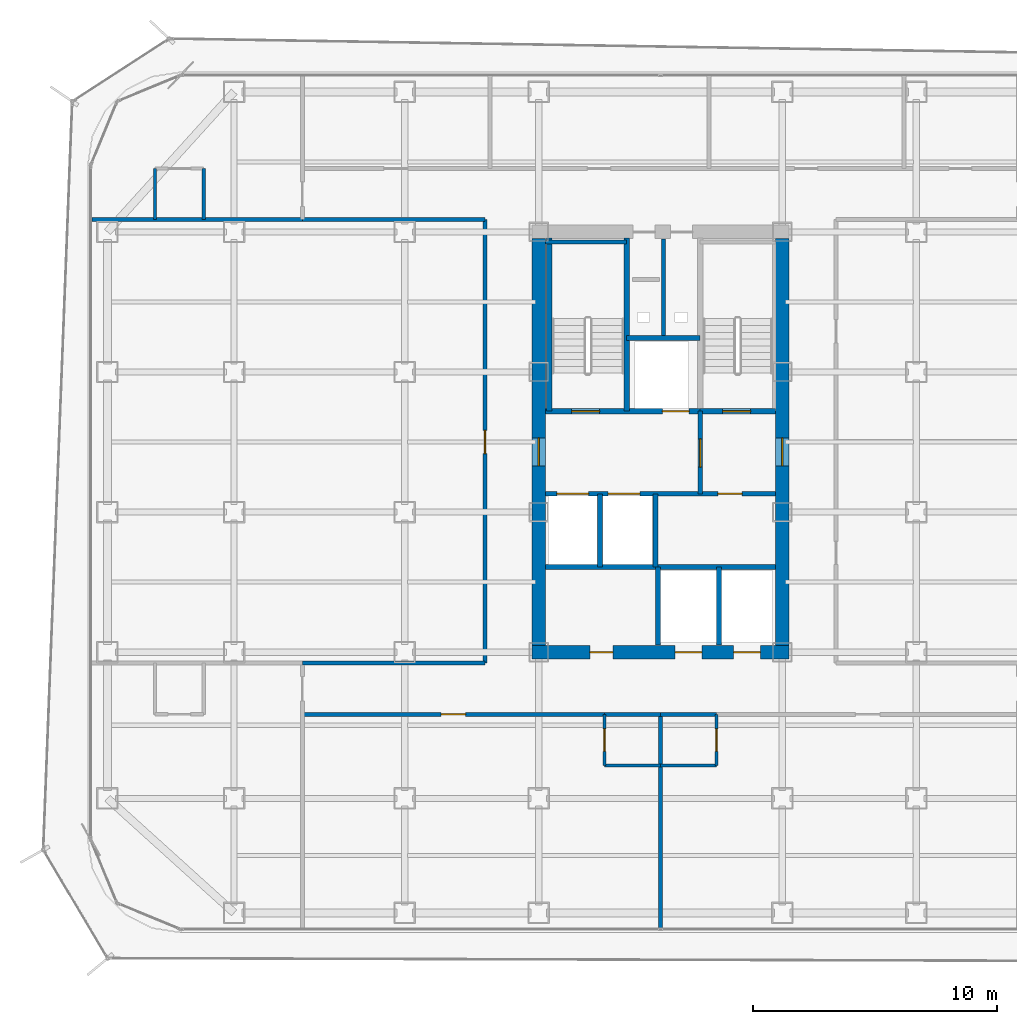
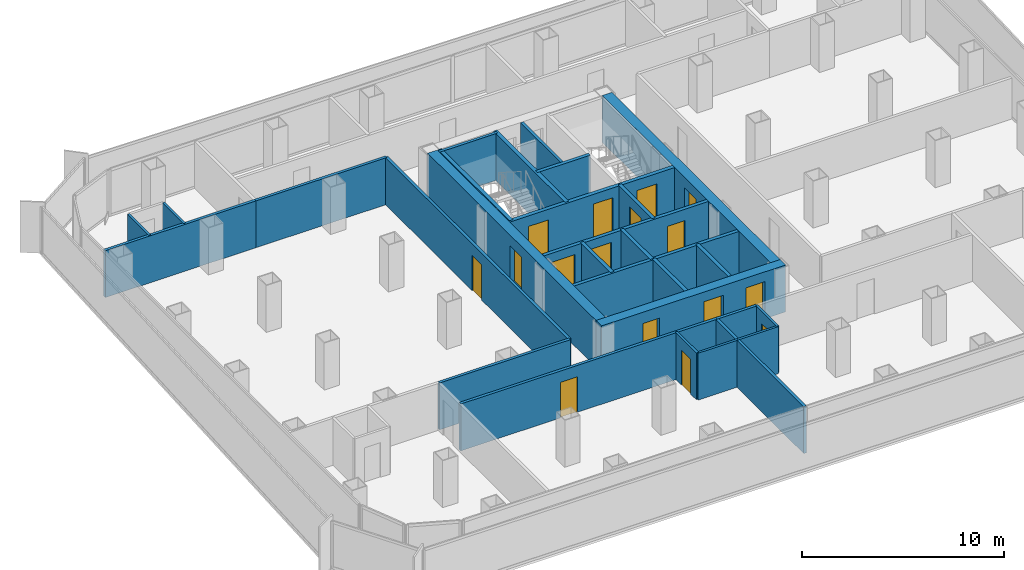
# One storey, part 16 of 21: 31 walls, 16 doors, 16 openings.
"""IFC4 building model written with IfcOpenShell, lengths in metres."""

from ifc_helpers import new_model, si_unit, direction, frame, frame_2d, origin, place, context, subcontext, project, spatial, rectangle, extrude, material, layer, layer_set, type_object, element, fill, save


model = new_model("IFC4")

# Units and contexts
model_context = context("Model", 3, precision=1e-05, world=origin(), true_north=direction((0.0, 1.0)))
body_context = subcontext(model_context, "Body", "Model", "MODEL_VIEW")
ifc_project = project(units=[si_unit("LENGTHUNIT", "METRE"), si_unit("AREAUNIT", "SQUARE_METRE"), si_unit("VOLUMEUNIT", "CUBIC_METRE"), si_unit("PLANEANGLEUNIT", "RADIAN"), si_unit("MASSUNIT", "GRAM", prefix="KILO")], contexts=[model_context])

# Site, building, storey
site_placement = place(None, origin())
site = spatial("IfcSite", under=ifc_project, at=site_placement, CompositionType="ELEMENT")
building_placement = place(site_placement, origin())
building = spatial("IfcBuilding", under=site, at=building_placement, Name="Kolveth Station Tower", CompositionType="ELEMENT")
storey_placement = place(building_placement, frame((0.0, 0.0, 140.699951171875)))
storey = spatial("IfcBuildingStorey", under=building, at=storey_placement, Name="L39", CompositionType="ELEMENT", Elevation=140.699951171875)

# Wall, openings, doors
ifc_material_1 = material(Name="Concrete C60/75", Category="concrete")
ifc_layer_1 = layer(ifc_material_1, 0.550048828125)
ifc_layer_set_1 = layer_set([ifc_layer_1], Name="Concrete C60/75")
wall_type_1 = type_object("IfcWallType", Name="Wall_CW-550", PredefinedType="SHEAR", material=ifc_layer_set_1)
wall_1_placement = place(storey_placement, frame((18.22509765625, 11.5, 0.0), z_axis=(0.0, 0.0, 1.0), x_axis=(1.0, 0.0, 0.0)))
wall_1 = element("IfcWall", 1, at=wall_1_placement, inside=storey, type_object=wall_type_1, Name="L39 Core RC Shear Wall S", PredefinedType="SHEAR", context=body_context, shape_type="SweptSolid", body=[
    extrude(rectangle(XDim=10.5498046875, YDim=0.550048828125, at=frame_2d((5.27490234375, 0.0))), origin(), (0.0, 0.0, 1.0), 2.840087890625),
])
opening_1_placement = place(wall_1_placement, frame((2.375, 0.0, 0.0)))
opening_1 = element("IfcOpeningElement", 2, at=opening_1_placement, cuts=wall_1, Name="Opening ID1", PredefinedType="OPENING", context=body_context, shape_type="SweptSolid", body=[
    extrude(rectangle(XDim=0.949951171875, YDim=2.14990234375, at=frame_2d((0.47509765625, 1.074951171875))), frame((0.0, 0.284912109375, 0.0), z_axis=(0.0, -1.0, 0.0), x_axis=(1.0, 0.0, 0.0)), (0.0, 0.0, 1.0), 0.570068359375),
])
opening_2_placement = place(wall_1_placement, frame((5.875, 0.0, 0.0)))
opening_2 = element("IfcOpeningElement", 3, at=opening_2_placement, cuts=wall_1, Name="Opening LD1", PredefinedType="OPENING", context=body_context, shape_type="SweptSolid", body=[
    extrude(rectangle(XDim=1.10009765625, YDim=2.25, at=frame_2d((0.550048828125, 1.125))), frame((0.0, 0.284912109375, 0.0), z_axis=(0.0, -1.0, 0.0), x_axis=(1.0, 0.0, 0.0)), (0.0, 0.0, 1.0), 0.570068359375),
])
opening_3_placement = place(wall_1_placement, frame((8.27490234375, 0.0, 0.0)))
opening_3 = element("IfcOpeningElement", 4, at=opening_3_placement, cuts=wall_1, Name="Opening LD1", PredefinedType="OPENING", context=body_context, shape_type="SweptSolid", body=[
    extrude(rectangle(XDim=1.10009765625, YDim=2.25, at=frame_2d((0.550048828125, 1.125))), frame((0.0, 0.284912109375, 0.0), z_axis=(0.0, -1.0, 0.0), x_axis=(1.0, 0.0, 0.0)), (0.0, 0.0, 1.0), 0.570068359375),
])
ifc_material_2 = material(Name="Acoustic hardwood leaf and aluminium frame", Category="wood")
door_type_1 = type_object("IfcDoorType", Name="Door_ID1", OperationType="NOTDEFINED", PredefinedType="DOOR", material=ifc_material_2)
door_1_placement = place(opening_1_placement, frame((0.949951171875, 0.0, 0.0), z_axis=(0.0, 0.0, 1.0), x_axis=(-1.0, 0.0, 0.0)))
door_1 = element("IfcDoor", 5, at=door_1_placement, inside=storey, type_object=door_type_1, Name="L39 Hotel Pantry Door", OperationType="SINGLE_SWING_LEFT", OverallHeight=2.14990234375, OverallWidth=0.949951171875, PredefinedType="DOOR", context=body_context, shape_type="SweptSolid", body=[
    extrude(rectangle(XDim=0.949951171875, YDim=2.14990234375, at=frame_2d((0.47509765625, 1.074951171875))), frame((0.0, 0.02490234375, 0.0), z_axis=(0.0, -1.0, 0.0), x_axis=(1.0, 0.0, 0.0)), (0.0, 0.0, 1.0), 0.050048828125),
])
fill(opening_1, door_1)
ifc_material_3 = material(Name="Brushed stainless steel sliding landing doors", Category="steel")
door_type_2 = type_object("IfcDoorType", Name="Door_LD1", OperationType="NOTDEFINED", PredefinedType="DOOR", material=ifc_material_3)
door_2_placement = place(opening_2_placement, frame((1.10009765625, 0.0, 0.0), z_axis=(0.0, 0.0, 1.0), x_axis=(-1.0, 0.0, 0.0)))
door_2 = element("IfcDoor", 6, at=door_2_placement, inside=storey, type_object=door_type_2, Name="L39 Lift PM1 Landing Door", OperationType="DOUBLE_DOOR_SLIDING", OverallHeight=2.25, OverallWidth=1.10009765625, PredefinedType="DOOR", context=body_context, shape_type="SweptSolid", body=[
    extrude(rectangle(XDim=1.10009765625, YDim=2.25, at=frame_2d((0.550048828125, 1.125))), frame((0.0, 0.02490234375, 0.0), z_axis=(0.0, -1.0, 0.0), x_axis=(1.0, 0.0, 0.0)), (0.0, 0.0, 1.0), 0.050048828125),
])
fill(opening_2, door_2)
door_3_placement = place(opening_3_placement, frame((1.10009765625, 0.0, 0.0), z_axis=(0.0, 0.0, 1.0), x_axis=(-1.0, 0.0, 0.0)))
door_3 = element("IfcDoor", 7, at=door_3_placement, inside=storey, type_object=door_type_2, Name="L39 Lift PH1 Landing Door", OperationType="DOUBLE_DOOR_SLIDING", OverallHeight=2.25, OverallWidth=1.10009765625, PredefinedType="DOOR", context=body_context, shape_type="SweptSolid", body=[
    extrude(rectangle(XDim=1.10009765625, YDim=2.25, at=frame_2d((0.550048828125, 1.125))), frame((0.0, 0.02490234375, 0.0), z_axis=(0.0, -1.0, 0.0), x_axis=(1.0, 0.0, 0.0)), (0.0, 0.0, 1.0), 0.050048828125),
])
fill(opening_3, door_3)

# Wall, opening, door
wall_2_placement = place(storey_placement, frame((18.5, 11.77490234375, 0.0), z_axis=(0.0, 0.0, 1.0), x_axis=(0.0, 1.0, 0.0)))
wall_2 = element("IfcWall", 8, at=wall_2_placement, inside=storey, type_object=wall_type_1, Name="L39 Core RC Shear Wall W", PredefinedType="SHEAR", context=body_context, shape_type="SweptSolid", body=[
    extrude(rectangle(XDim=16.7001953125, YDim=0.550048828125, at=frame_2d((8.35009765625, 0.0))), origin(), (0.0, 0.0, 1.0), 2.840087890625),
])
opening_4_placement = place(wall_2_placement, frame((7.375, 0.0, 0.0)))
opening_4 = element("IfcOpeningElement", 9, at=opening_4_placement, cuts=wall_2, Name="Opening FD1", PredefinedType="OPENING", context=body_context, shape_type="SweptSolid", body=[
    extrude(rectangle(XDim=1.14990234375, YDim=2.199951171875, at=frame_2d((0.574951171875, 1.10009765625))), frame((0.0, 0.284912109375, 0.0), z_axis=(0.0, -1.0, 0.0), x_axis=(1.0, 0.0, 0.0)), (0.0, 0.0, 1.0), 0.570068359375),
])
ifc_material_4 = material(Name="Fire-rated Steel S355 leaf and frame", Category="steel")
door_type_3 = type_object("IfcDoorType", Name="Door_FD1", OperationType="NOTDEFINED", PredefinedType="DOOR", material=ifc_material_4)
door_4_placement = place(opening_4_placement, frame((1.14990234375, 0.0, 0.0), z_axis=(0.0, 0.0, 1.0), x_axis=(-1.0, 0.0, 0.0)))
door_4 = element("IfcDoor", 10, at=door_4_placement, inside=storey, type_object=door_type_3, Name="L39 West Corridor to Firefighting Lobby Door", OperationType="SINGLE_SWING_LEFT", OverallHeight=2.199951171875, OverallWidth=1.14990234375, PredefinedType="DOOR", context=body_context, shape_type="SweptSolid", body=[
    extrude(rectangle(XDim=1.14990234375, YDim=2.199951171875, at=frame_2d((0.574951171875, 1.10009765625))), frame((0.0, 0.02490234375, 0.0), z_axis=(0.0, -1.0, 0.0), x_axis=(1.0, 0.0, 0.0)), (0.0, 0.0, 1.0), 0.050048828125),
])
fill(opening_4, door_4)

wall_3_placement = place(storey_placement, frame((28.5, 11.77490234375, 0.0), z_axis=(0.0, 0.0, 1.0), x_axis=(0.0, 1.0, 0.0)))
wall_3 = element("IfcWall", 11, at=wall_3_placement, inside=storey, type_object=wall_type_1, Name="L39 Core RC Shear Wall E", PredefinedType="SHEAR", context=body_context, shape_type="SweptSolid", body=[
    extrude(rectangle(XDim=16.7001953125, YDim=0.550048828125, at=frame_2d((8.35009765625, 0.0))), origin(), (0.0, 0.0, 1.0), 2.840087890625),
])
opening_5_placement = place(wall_3_placement, frame((7.375, 0.0, 0.0)))
opening_5 = element("IfcOpeningElement", 12, at=opening_5_placement, cuts=wall_3, Name="Opening FD1", PredefinedType="OPENING", context=body_context, shape_type="SweptSolid", body=[
    extrude(rectangle(XDim=1.14990234375, YDim=2.199951171875, at=frame_2d((0.574951171875, 1.10009765625))), frame((0.0, 0.284912109375, 0.0), z_axis=(0.0, -1.0, 0.0), x_axis=(1.0, 0.0, 0.0)), (0.0, 0.0, 1.0), 0.570068359375),
])
door_5_placement = place(opening_5_placement, origin())
door_5 = element("IfcDoor", 13, at=door_5_placement, inside=storey, type_object=door_type_3, Name="L39 East Corridor to Stair Lobby Door", OperationType="SINGLE_SWING_RIGHT", OverallHeight=2.199951171875, OverallWidth=1.14990234375, PredefinedType="DOOR", context=body_context, shape_type="SweptSolid", body=[
    extrude(rectangle(XDim=1.14990234375, YDim=2.199951171875, at=frame_2d((0.574951171875, 1.10009765625))), frame((0.0, 0.02490234375, 0.0), z_axis=(0.0, -1.0, 0.0), x_axis=(1.0, 0.0, 0.0)), (0.0, 0.0, 1.0), 0.050048828125),
])
fill(opening_5, door_5)

# Walls
ifc_material_5 = material(Name="Moisture-resistant gypsum partition")
ifc_layer_2 = layer(ifc_material_5, 0.135009765625)
ifc_layer_set_2 = layer_set([ifc_layer_2], Name="Moisture-resistant gypsum partition")
wall_type_2 = type_object("IfcWallType", Name="Wall_IW-135", PredefinedType="PARTITIONING", material=ifc_layer_set_2)
for number, where, z_axis, x_axis, name in (
    (14, (2.75, 29.25, 0.0), (0.0, 0.0, 1.0), (0.0, 1.0, 0.0), "L39 Partition Wall WL-L39-WS2-BV1"),
    (15, (4.75, 29.25, 0.0), (0.0, 0.0, 1.0), (0.0, 1.0, 0.0), "L39 Partition Wall WL-L39-WS2-BV2"),
):
    element("IfcWall", number, at=place(storey_placement, frame(where, z_axis=z_axis, x_axis=x_axis)), inside=storey, type_object=wall_type_2, Name=name, PredefinedType="PARTITIONING", context=body_context, shape_type="SweptSolid", body=[
        extrude(rectangle(XDim=2.10009765625, YDim=0.135009765625, at=frame_2d((1.050048828125, 0.0))), origin(), (0.0, 0.0, 1.0), 2.840087890625),
    ])

# Wall, opening, door
wall_4_placement = place(storey_placement, frame((21.199951171875, 6.85009765625, 0.0), z_axis=(0.0, 0.0, 1.0), x_axis=(0.0, 1.0, 0.0)))
wall_4 = element("IfcWall", 16, at=wall_4_placement, inside=storey, type_object=wall_type_2, Name="L39 Partition Wall WL-L39-HS1-BV", PredefinedType="PARTITIONING", context=body_context, shape_type="SweptSolid", body=[
    extrude(rectangle(XDim=2.099853515625, YDim=0.135009765625, at=frame_2d((1.0498046875, 0.0))), origin(), (0.0, 0.0, 1.0), 2.840087890625),
])
opening_6_placement = place(wall_4_placement, frame((0.580078125, 0.0, 0.0)))
opening_6 = element("IfcOpeningElement", 17, at=opening_6_placement, cuts=wall_4, Name="Opening ID2", PredefinedType="OPENING", context=body_context, shape_type="SweptSolid", body=[
    extrude(rectangle(XDim=0.919921875, YDim=2.10009765625, at=frame_2d((0.4599609375, 1.050048828125))), frame((0.0, 0.077392578125, 0.0), z_axis=(0.0, -1.0, 0.0), x_axis=(1.0, 0.0, 0.0)), (0.0, 0.0, 1.0), 0.155029296875),
])
ifc_material_6 = material(Name="Moisture-resistant hardwood leaf", Category="wood")
door_type_4 = type_object("IfcDoorType", Name="Door_ID2", OperationType="NOTDEFINED", PredefinedType="DOOR", material=ifc_material_6)
door_6_placement = place(opening_6_placement, origin())
door_6 = element("IfcDoor", 18, at=door_6_placement, inside=storey, type_object=door_type_4, Name="L39 Hotel Corner Suite HS1 En-Suite Door", OperationType="SINGLE_SWING_RIGHT", OverallHeight=2.10009765625, OverallWidth=0.919921875, PredefinedType="DOOR", context=body_context, shape_type="SweptSolid", body=[
    extrude(rectangle(XDim=0.919921875, YDim=2.10009765625, at=frame_2d((0.4599609375, 1.050048828125))), frame((0.0, 0.02490234375, 0.0), z_axis=(0.0, -1.0, 0.0), x_axis=(1.0, 0.0, 0.0)), (0.0, 0.0, 1.0), 0.050048828125),
])
fill(opening_6, door_6)

# Wall
wall_5_placement = place(storey_placement, frame((21.199951171875, 6.85009765625, 0.0), z_axis=(0.0, 0.0, 1.0), x_axis=(1.0, 0.0, 0.0)))
element("IfcWall", 19, at=wall_5_placement, inside=storey, type_object=wall_type_2, Name="L39 Partition Wall WL-L39-HS1-BH", PredefinedType="PARTITIONING", context=body_context, shape_type="SweptSolid", body=[
    extrude(rectangle(XDim=2.300048828125, YDim=0.135009765625, at=frame_2d((1.14990234375, 0.0))), origin(), (0.0, 0.0, 1.0), 2.840087890625),
])

# Wall, opening, door
wall_6_placement = place(storey_placement, frame((25.800048828125, 6.85009765625, 0.0), z_axis=(0.0, 0.0, 1.0), x_axis=(0.0, 1.0, 0.0)))
wall_6 = element("IfcWall", 20, at=wall_6_placement, inside=storey, type_object=wall_type_2, Name="L39 Partition Wall WL-L39-HS2-BV", PredefinedType="PARTITIONING", context=body_context, shape_type="SweptSolid", body=[
    extrude(rectangle(XDim=2.099853515625, YDim=0.135009765625, at=frame_2d((1.0498046875, 0.0))), origin(), (0.0, 0.0, 1.0), 2.840087890625),
])
opening_7_placement = place(wall_6_placement, frame((0.580078125, 0.0, 0.0)))
opening_7 = element("IfcOpeningElement", 21, at=opening_7_placement, cuts=wall_6, Name="Opening ID2", PredefinedType="OPENING", context=body_context, shape_type="SweptSolid", body=[
    extrude(rectangle(XDim=0.919921875, YDim=2.10009765625, at=frame_2d((0.4599609375, 1.050048828125))), frame((0.0, 0.077392578125, 0.0), z_axis=(0.0, -1.0, 0.0), x_axis=(1.0, 0.0, 0.0)), (0.0, 0.0, 1.0), 0.155029296875),
])
door_7_placement = place(opening_7_placement, frame((0.919921875, 0.0, 0.0), z_axis=(0.0, 0.0, 1.0), x_axis=(-1.0, 0.0, 0.0)))
door_7 = element("IfcDoor", 22, at=door_7_placement, inside=storey, type_object=door_type_4, Name="L39 Hotel Corner Suite HS2 En-Suite Door", OperationType="SINGLE_SWING_RIGHT", OverallHeight=2.10009765625, OverallWidth=0.919921875, PredefinedType="DOOR", context=body_context, shape_type="SweptSolid", body=[
    extrude(rectangle(XDim=0.919921875, YDim=2.10009765625, at=frame_2d((0.4599609375, 1.050048828125))), frame((0.0, 0.02490234375, 0.0), z_axis=(0.0, -1.0, 0.0), x_axis=(1.0, 0.0, 0.0)), (0.0, 0.0, 1.0), 0.050048828125),
])
fill(opening_7, door_7)

# Walls
wall_7_placement = place(storey_placement, frame((23.5, 6.85009765625, 0.0), z_axis=(0.0, 0.0, 1.0), x_axis=(1.0, 0.0, 0.0)))
element("IfcWall", 23, at=wall_7_placement, inside=storey, type_object=wall_type_2, Name="L39 Partition Wall WL-L39-HS2-BH", PredefinedType="PARTITIONING", context=body_context, shape_type="SweptSolid", body=[
    extrude(rectangle(XDim=2.300048828125, YDim=0.135009765625, at=frame_2d((1.14990234375, 0.0))), origin(), (0.0, 0.0, 1.0), 2.840087890625),
])
ifc_material_7 = material(Name="Acoustic double-stud gypsum partition")
ifc_layer_3 = layer(ifc_material_7, 0.1650390625)
ifc_layer_set_3 = layer_set([ifc_layer_3], Name="Acoustic double-stud gypsum partition")
wall_type_3 = type_object("IfcWallType", Name="Wall_IW-165", PredefinedType="PARTITIONING", material=ifc_layer_set_3)
wall_8_placement = place(storey_placement, frame((18.784912109375, 28.3349609375, 0.0), z_axis=(0.0, 0.0, 1.0), x_axis=(1.0, 0.0, 0.0)))
element("IfcWall", 24, at=wall_8_placement, inside=storey, type_object=wall_type_3, Name="L39 Stair Shaft Wall WL-L39-ST1-N", PredefinedType="PARTITIONING", context=body_context, shape_type="SweptSolid", body=[
    extrude(rectangle(XDim=3.3251953125, YDim=0.1650390625, at=frame_2d((1.66259765625, 0.0))), origin(), (0.0, 0.0, 1.0), 2.840087890625),
])
wall_9_placement = place(storey_placement, frame((23.6201171875, 24.39990234375, 0.0), z_axis=(0.0, 0.0, 1.0), x_axis=(0.0, 1.0, 0.0)))
element("IfcWall", 25, at=wall_9_placement, inside=storey, type_object=wall_type_3, Name="L39 Partition Wall WL-L39-RSR-M", PredefinedType="PARTITIONING", context=body_context, shape_type="SweptSolid", body=[
    extrude(rectangle(XDim=4.065185546875, YDim=0.1650390625, at=frame_2d((2.03271484375, 0.0))), origin(), (0.0, 0.0, 1.0), 2.840087890625),
])
for number, where, z_axis, x_axis, name in (
    (26, (8.800048828125, 11.050048828125, 0.0), (0.0, 0.0, 1.0), (1.0, 0.0, 0.0), "L39 Partition Wall WL-L39-HSWT"),
    (27, (8.800048828125, 29.25, 0.0), (0.0, 0.0, 1.0), (1.0, 0.0, 0.0), "L39 Partition Wall WL-L39-HNWB"),
):
    element("IfcWall", number, at=place(storey_placement, frame(where, z_axis=z_axis, x_axis=x_axis)), inside=storey, type_object=wall_type_3, Name=name, PredefinedType="PARTITIONING", context=body_context, shape_type="SweptSolid", body=[
        extrude(rectangle(XDim=7.5, YDim=0.1650390625, at=frame_2d((3.75, 0.0))), origin(), (0.0, 0.0, 1.0), 2.840087890625),
    ])

# Wall, opening, door
wall_10_placement = place(storey_placement, frame((16.300048828125, 11.050048828125, 0.0), z_axis=(0.0, 0.0, 1.0), x_axis=(0.0, 1.0, 0.0)))
wall_10 = element("IfcWall", 28, at=wall_10_placement, inside=storey, type_object=wall_type_3, Name="L39 Partition Wall WL-L39-HW", PredefinedType="PARTITIONING", context=body_context, shape_type="SweptSolid", body=[
    extrude(rectangle(XDim=18.199951171875, YDim=0.1650390625, at=frame_2d((9.10009765625, 0.0))), origin(), (0.0, 0.0, 1.0), 2.840087890625),
])
opening_8_placement = place(wall_10_placement, frame((8.60009765625, 0.0, 0.0)))
opening_8 = element("IfcOpeningElement", 29, at=opening_8_placement, cuts=wall_10, Name="Opening ID1", PredefinedType="OPENING", context=body_context, shape_type="SweptSolid", body=[
    extrude(rectangle(XDim=0.949951171875, YDim=2.14990234375, at=frame_2d((0.47509765625, 1.074951171875))), frame((0.0, 0.092529296875, 0.0), z_axis=(0.0, -1.0, 0.0), x_axis=(1.0, 0.0, 0.0)), (0.0, 0.0, 1.0), 0.18505859375),
])
door_8_placement = place(opening_8_placement, frame((0.949951171875, 0.0, 0.0), z_axis=(0.0, 0.0, 1.0), x_axis=(-1.0, 0.0, 0.0)))
door_8 = element("IfcDoor", 30, at=door_8_placement, inside=storey, type_object=door_type_1, Name="L39 Conference Salon West Door", OperationType="SINGLE_SWING_RIGHT", OverallHeight=2.14990234375, OverallWidth=0.949951171875, PredefinedType="DOOR", context=body_context, shape_type="SweptSolid", body=[
    extrude(rectangle(XDim=0.949951171875, YDim=2.14990234375, at=frame_2d((0.47509765625, 1.074951171875))), frame((0.0, 0.02490234375, 0.0), z_axis=(0.0, -1.0, 0.0), x_axis=(1.0, 0.0, 0.0)), (0.0, 0.0, 1.0), 0.050048828125),
])
fill(opening_8, door_8)

# Walls
wall_11_placement = place(storey_placement, frame((0.159912109375, 29.25, 0.0), z_axis=(0.0, 0.0, 1.0), x_axis=(1.0, 0.0, 0.0)))
element("IfcWall", 31, at=wall_11_placement, inside=storey, type_object=wall_type_3, Name="L39 Partition Wall WL-L39-WM2", PredefinedType="PARTITIONING", context=body_context, shape_type="SweptSolid", body=[
    extrude(rectangle(XDim=8.64013671875, YDim=0.1650390625, at=frame_2d((4.320068359375, 0.0))), origin(), (0.0, 0.0, 1.0), 2.840087890625),
])
wall_12_placement = place(storey_placement, frame((21.199951171875, 8.949951171875, 0.0), z_axis=(0.0, 0.0, 1.0), x_axis=(1.0, 0.0, 0.0)))
element("IfcWall", 32, at=wall_12_placement, inside=storey, type_object=wall_type_3, Name="L39 Partition Wall WL-L39-HS1-BCOR", PredefinedType="PARTITIONING", context=body_context, shape_type="SweptSolid", body=[
    extrude(rectangle(XDim=2.300048828125, YDim=0.1650390625, at=frame_2d((1.14990234375, 0.0))), origin(), (0.0, 0.0, 1.0), 2.840087890625),
])

# Wall, opening, door
wall_13_placement = place(storey_placement, frame((8.800048828125, 8.949951171875, 0.0), z_axis=(0.0, 0.0, 1.0), x_axis=(1.0, 0.0, 0.0)))
wall_13 = element("IfcWall", 33, at=wall_13_placement, inside=storey, type_object=wall_type_3, Name="L39 Partition Wall WL-L39-HS1-RCOR", PredefinedType="PARTITIONING", context=body_context, shape_type="SweptSolid", body=[
    extrude(rectangle(XDim=12.39990234375, YDim=0.1650390625, at=frame_2d((6.199951171875, 0.0))), origin(), (0.0, 0.0, 1.0), 2.840087890625),
])
opening_9_placement = place(wall_13_placement, frame((5.699951171875, 0.0, 0.0)))
opening_9 = element("IfcOpeningElement", 34, at=opening_9_placement, cuts=wall_13, Name="Opening FD3", PredefinedType="OPENING", context=body_context, shape_type="SweptSolid", body=[
    extrude(rectangle(XDim=1.0, YDim=2.14990234375, at=frame_2d((0.5, 1.074951171875))), frame((0.0, 0.092529296875, 0.0), z_axis=(0.0, -1.0, 0.0), x_axis=(1.0, 0.0, 0.0)), (0.0, 0.0, 1.0), 0.18505859375),
])
ifc_material_8 = material(Name="Fire-rated hardwood leaf and aluminium frame", Category="wood")
door_type_5 = type_object("IfcDoorType", Name="Door_FD3", OperationType="NOTDEFINED", PredefinedType="DOOR", material=ifc_material_8)
door_9_placement = place(opening_9_placement, frame((1.0, 0.0, 0.0), z_axis=(0.0, 0.0, 1.0), x_axis=(-1.0, 0.0, 0.0)))
door_9 = element("IfcDoor", 35, at=door_9_placement, inside=storey, type_object=door_type_5, Name="L39 Hotel Corner Suite HS1 Entrance Door", OperationType="SINGLE_SWING_LEFT", OverallHeight=2.14990234375, OverallWidth=1.0, PredefinedType="DOOR", context=body_context, shape_type="SweptSolid", body=[
    extrude(rectangle(XDim=1.0, YDim=2.14990234375, at=frame_2d((0.5, 1.074951171875))), frame((0.0, 0.02490234375, 0.0), z_axis=(0.0, -1.0, 0.0), x_axis=(1.0, 0.0, 0.0)), (0.0, 0.0, 1.0), 0.050048828125),
])
fill(opening_9, door_9)

# Walls
wall_14_placement = place(storey_placement, frame((23.5, 0.159912109375, 0.0), z_axis=(0.0, 0.0, 1.0), x_axis=(0.0, 1.0, 0.0)))
element("IfcWall", 36, at=wall_14_placement, inside=storey, type_object=wall_type_3, Name="L39 Partition Wall WL-L39-HSK-1", PredefinedType="PARTITIONING", context=body_context, shape_type="SweptSolid", body=[
    extrude(rectangle(XDim=8.7900390625, YDim=0.1650390625, at=frame_2d((4.39501953125, 0.0))), origin(), (0.0, 0.0, 1.0), 2.840087890625),
])
wall_15_placement = place(storey_placement, frame((23.5, 8.949951171875, 0.0), z_axis=(0.0, 0.0, 1.0), x_axis=(1.0, 0.0, 0.0)))
element("IfcWall", 37, at=wall_15_placement, inside=storey, type_object=wall_type_3, Name="L39 Partition Wall WL-L39-HS2-BCOR", PredefinedType="PARTITIONING", context=body_context, shape_type="SweptSolid", body=[
    extrude(rectangle(XDim=2.300048828125, YDim=0.1650390625, at=frame_2d((1.14990234375, 0.0))), origin(), (0.0, 0.0, 1.0), 2.840087890625),
])
ifc_material_9 = material(Name="Acoustic fire-rated gypsum blockwork", Category="masonry")
ifc_layer_4 = layer(ifc_material_9, 0.199951171875)
ifc_layer_set_4 = layer_set([ifc_layer_4], Name="Acoustic fire-rated gypsum blockwork")
wall_type_4 = type_object("IfcWallType", Name="Wall_IW-200", PredefinedType="PARTITIONING", material=ifc_layer_set_4)
wall_16_placement = place(storey_placement, frame((22.110107421875, 24.39990234375, 0.0), z_axis=(0.0, 0.0, 1.0), x_axis=(1.0, 0.0, 0.0)))
element("IfcWall", 38, at=wall_16_placement, inside=storey, type_object=wall_type_4, Name="L39 Partition Wall WL-L39-RSR-S", PredefinedType="PARTITIONING", context=body_context, shape_type="SweptSolid", body=[
    extrude(rectangle(XDim=3.019775390625, YDim=0.199951171875, at=frame_2d((1.509765625, 0.0))), origin(), (0.0, 0.0, 1.0), 2.840087890625),
])

# Wall, opening, door
wall_17_placement = place(storey_placement, frame((25.1298828125, 18.0, 0.0), z_axis=(0.0, 0.0, 1.0), x_axis=(0.0, 1.0, 0.0)))
wall_17 = element("IfcWall", 39, at=wall_17_placement, inside=storey, type_object=wall_type_4, Name="L39 Partition Wall WL-L39-FFL-E", PredefinedType="PARTITIONING", context=body_context, shape_type="SweptSolid", body=[
    extrude(rectangle(XDim=3.389892578125, YDim=0.199951171875, at=frame_2d((1.69482421875, 0.0))), origin(), (0.0, 0.0, 1.0), 2.840087890625),
])
opening_10_placement = place(wall_17_placement, frame((1.10009765625, 0.0, 0.0)))
opening_10 = element("IfcOpeningElement", 40, at=opening_10_placement, cuts=wall_17, Name="Opening FD1", PredefinedType="OPENING", context=body_context, shape_type="SweptSolid", body=[
    extrude(rectangle(XDim=1.14990234375, YDim=2.199951171875, at=frame_2d((0.574951171875, 1.10009765625))), frame((0.0, 0.10986328125, 0.0), z_axis=(0.0, -1.0, 0.0), x_axis=(1.0, 0.0, 0.0)), (0.0, 0.0, 1.0), 0.219970703125),
])
door_10_placement = place(opening_10_placement, origin())
door_10 = element("IfcDoor", 41, at=door_10_placement, inside=storey, type_object=door_type_3, Name="L39 Firefighting to Stair Lobby Door", OperationType="SINGLE_SWING_LEFT", OverallHeight=2.199951171875, OverallWidth=1.14990234375, PredefinedType="DOOR", context=body_context, shape_type="SweptSolid", body=[
    extrude(rectangle(XDim=1.14990234375, YDim=2.199951171875, at=frame_2d((0.574951171875, 1.10009765625))), frame((0.0, 0.02490234375, 0.0), z_axis=(0.0, -1.0, 0.0), x_axis=(1.0, 0.0, 0.0)), (0.0, 0.0, 1.0), 0.050048828125),
])
fill(opening_10, door_10)

# Wall, openings, doors
wall_18_placement = place(storey_placement, frame((18.784912109375, 18.0, 0.0), z_axis=(0.0, 0.0, 1.0), x_axis=(1.0, 0.0, 0.0)))
wall_18 = element("IfcWall", 42, at=wall_18_placement, inside=storey, type_object=wall_type_4, Name="L39 Partition Wall WL-L39-FFL-S", PredefinedType="PARTITIONING", context=body_context, shape_type="SweptSolid", body=[
    extrude(rectangle(XDim=9.43017578125, YDim=0.199951171875, at=frame_2d((4.715087890625, 0.0))), origin(), (0.0, 0.0, 1.0), 2.840087890625),
])
opening_11_placement = place(wall_18_placement, frame((0.465087890625, 0.0, 0.0)))
opening_11 = element("IfcOpeningElement", 43, at=opening_11_placement, cuts=wall_18, Name="Opening LD2", PredefinedType="OPENING", context=body_context, shape_type="SweptSolid", body=[
    extrude(rectangle(XDim=1.300048828125, YDim=2.300048828125, at=frame_2d((0.64990234375, 1.14990234375))), frame((0.0, 0.10986328125, 0.0), z_axis=(0.0, -1.0, 0.0), x_axis=(1.0, 0.0, 0.0)), (0.0, 0.0, 1.0), 0.219970703125),
])
opening_12_placement = place(wall_18_placement, frame((2.56494140625, 0.0, 0.0)))
opening_12 = element("IfcOpeningElement", 44, at=opening_12_placement, cuts=wall_18, Name="Opening LD2", PredefinedType="OPENING", context=body_context, shape_type="SweptSolid", body=[
    extrude(rectangle(XDim=1.300048828125, YDim=2.300048828125, at=frame_2d((0.64990234375, 1.14990234375))), frame((0.0, 0.10986328125, 0.0), z_axis=(0.0, -1.0, 0.0), x_axis=(1.0, 0.0, 0.0)), (0.0, 0.0, 1.0), 0.219970703125),
])
opening_13_placement = place(wall_18_placement, frame((7.06494140625, 0.0, 0.0)))
opening_13 = element("IfcOpeningElement", 45, at=opening_13_placement, cuts=wall_18, Name="Opening FD3", PredefinedType="OPENING", context=body_context, shape_type="SweptSolid", body=[
    extrude(rectangle(XDim=1.0, YDim=2.14990234375, at=frame_2d((0.5, 1.074951171875))), frame((0.0, 0.10986328125, 0.0), z_axis=(0.0, -1.0, 0.0), x_axis=(1.0, 0.0, 0.0)), (0.0, 0.0, 1.0), 0.219970703125),
])
door_11_placement = place(opening_13_placement, frame((1.0, 0.0, 0.0), z_axis=(0.0, 0.0, 1.0), x_axis=(-1.0, 0.0, 0.0)))
door_11 = element("IfcDoor", 46, at=door_11_placement, inside=storey, type_object=door_type_5, Name="L39 Housekeeping and Linen Room Door", OperationType="SINGLE_SWING_LEFT", OverallHeight=2.14990234375, OverallWidth=1.0, PredefinedType="DOOR", context=body_context, shape_type="SweptSolid", body=[
    extrude(rectangle(XDim=1.0, YDim=2.14990234375, at=frame_2d((0.5, 1.074951171875))), frame((0.0, 0.02490234375, 0.0), z_axis=(0.0, -1.0, 0.0), x_axis=(1.0, 0.0, 0.0)), (0.0, 0.0, 1.0), 0.050048828125),
])
fill(opening_13, door_11)
ifc_material_10 = material(Name="Firefighting stainless steel sliding landing doors", Category="steel")
door_type_6 = type_object("IfcDoorType", Name="Door_LD2", OperationType="NOTDEFINED", PredefinedType="DOOR", material=ifc_material_10)
door_12_placement = place(opening_11_placement, origin())
door_12 = element("IfcDoor", 47, at=door_12_placement, inside=storey, type_object=door_type_6, Name="L39 Firefighting Lift FF1 Landing Door", OperationType="DOUBLE_DOOR_SLIDING", OverallHeight=2.300048828125, OverallWidth=1.300048828125, PredefinedType="DOOR", context=body_context, shape_type="SweptSolid", body=[
    extrude(rectangle(XDim=1.300048828125, YDim=2.300048828125, at=frame_2d((0.64990234375, 1.14990234375))), frame((0.0, 0.02490234375, 0.0), z_axis=(0.0, -1.0, 0.0), x_axis=(1.0, 0.0, 0.0)), (0.0, 0.0, 1.0), 0.050048828125),
])
fill(opening_11, door_12)
door_13_placement = place(opening_12_placement, origin())
door_13 = element("IfcDoor", 48, at=door_13_placement, inside=storey, type_object=door_type_6, Name="L39 Firefighting Lift FF2 Landing Door", OperationType="DOUBLE_DOOR_SLIDING", OverallHeight=2.300048828125, OverallWidth=1.300048828125, PredefinedType="DOOR", context=body_context, shape_type="SweptSolid", body=[
    extrude(rectangle(XDim=1.300048828125, YDim=2.300048828125, at=frame_2d((0.64990234375, 1.14990234375))), frame((0.0, 0.02490234375, 0.0), z_axis=(0.0, -1.0, 0.0), x_axis=(1.0, 0.0, 0.0)), (0.0, 0.0, 1.0), 0.050048828125),
])
fill(opening_12, door_13)

# Walls
for number, where, z_axis, x_axis, name in (
    (49, (21.02001953125, 15.0, 0.0), (0.0, 0.0, 1.0), (0.0, 1.0, 0.0), "L39 Partition Wall WL-L39-FF12"),
    (50, (23.300048828125, 15.0, 0.0), (0.0, 0.0, 1.0), (0.0, 1.0, 0.0), "L39 Partition Wall WL-L39-FF2E"),
):
    element("IfcWall", number, at=place(storey_placement, frame(where, z_axis=z_axis, x_axis=x_axis)), inside=storey, type_object=wall_type_4, Name=name, PredefinedType="PARTITIONING", context=body_context, shape_type="SweptSolid", body=[
        extrude(rectangle(XDim=3.0, YDim=0.199951171875, at=frame_2d((1.5, 0.0))), origin(), (0.0, 0.0, 1.0), 2.840087890625),
    ])
wall_19_placement = place(storey_placement, frame((18.784912109375, 15.0, 0.0), z_axis=(0.0, 0.0, 1.0), x_axis=(1.0, 0.0, 0.0)))
element("IfcWall", 51, at=wall_19_placement, inside=storey, type_object=wall_type_4, Name="L39 Partition Wall WL-L39-BOH-S", PredefinedType="PARTITIONING", context=body_context, shape_type="SweptSolid", body=[
    extrude(rectangle(XDim=9.43017578125, YDim=0.199951171875, at=frame_2d((4.715087890625, 0.0))), origin(), (0.0, 0.0, 1.0), 2.840087890625),
])
for number, where, z_axis, x_axis, name in (
    (52, (23.39990234375, 11.784912109375, 0.0), (0.0, 0.0, 1.0), (0.0, 1.0, 0.0), "L39 Partition Wall WL-L39-PL2E"),
    (53, (25.89990234375, 11.784912109375, 0.0), (0.0, 0.0, 1.0), (0.0, 1.0, 0.0), "L39 Partition Wall WL-L39-PMPH"),
):
    element("IfcWall", number, at=place(storey_placement, frame(where, z_axis=z_axis, x_axis=x_axis)), inside=storey, type_object=wall_type_4, Name=name, PredefinedType="PARTITIONING", context=body_context, shape_type="SweptSolid", body=[
        extrude(rectangle(XDim=3.215087890625, YDim=0.199951171875, at=frame_2d((1.607421875, 0.0))), origin(), (0.0, 0.0, 1.0), 2.840087890625),
    ])
ifc_material_11 = material(Name="Concrete C40/50", Category="concrete")
ifc_layer_5 = layer(ifc_material_11, 0.219970703125)
ifc_layer_set_5 = layer_set([ifc_layer_5], Name="Concrete C40/50")
wall_type_5 = type_object("IfcWallType", Name="Wall_IW-220", PredefinedType="SOLIDWALL", material=ifc_layer_set_5)
for number, where, z_axis, x_axis, name in (
    (54, (18.929931640625, 21.389892578125, 0.0), (0.0, 0.0, 1.0), (0.0, 1.0, 0.0), "L39 Stair Shaft Wall WL-L39-ST1-W"),
    (55, (22.110107421875, 21.389892578125, 0.0), (0.0, 0.0, 1.0), (0.0, 1.0, 0.0), "L39 Stair Shaft Wall WL-L39-ST1-E"),
):
    element("IfcWall", number, at=place(storey_placement, frame(where, z_axis=z_axis, x_axis=x_axis)), inside=storey, type_object=wall_type_5, Name=name, PredefinedType="SOLIDWALL", context=body_context, shape_type="SweptSolid", body=[
        extrude(rectangle(XDim=7.110107421875, YDim=0.219970703125, at=frame_2d((3.55517578125, 0.0))), origin(), (0.0, 0.0, 1.0), 2.840087890625),
    ])

# Wall, openings, doors
wall_20_placement = place(storey_placement, frame((18.784912109375, 21.389892578125, 0.0), z_axis=(0.0, 0.0, 1.0), x_axis=(1.0, 0.0, 0.0)))
wall_20 = element("IfcWall", 56, at=wall_20_placement, inside=storey, type_object=wall_type_5, Name="L39 Stair Shaft Wall WL-L39-ST1-S", PredefinedType="SOLIDWALL", context=body_context, shape_type="SweptSolid", body=[
    extrude(rectangle(XDim=6.344970703125, YDim=0.219970703125, at=frame_2d((3.17236328125, 0.0))), origin(), (0.0, 0.0, 1.0), 2.840087890625),
])
opening_14_placement = place(wall_20_placement, frame((1.06494140625, 0.0, 0.0)))
opening_14 = element("IfcOpeningElement", 57, at=opening_14_placement, cuts=wall_20, Name="Opening FD1", PredefinedType="OPENING", context=body_context, shape_type="SweptSolid", body=[
    extrude(rectangle(XDim=1.14990234375, YDim=2.199951171875, at=frame_2d((0.574951171875, 1.10009765625))), frame((0.0, 0.119873046875, 0.0), z_axis=(0.0, -1.0, 0.0), x_axis=(1.0, 0.0, 0.0)), (0.0, 0.0, 1.0), 0.239990234375),
])
opening_15_placement = place(wall_20_placement, frame((4.794921875, 0.0, 0.0)))
opening_15 = element("IfcOpeningElement", 58, at=opening_15_placement, cuts=wall_20, Name="Opening LD1", PredefinedType="OPENING", context=body_context, shape_type="SweptSolid", body=[
    extrude(rectangle(XDim=1.10009765625, YDim=2.25, at=frame_2d((0.550048828125, 1.125))), frame((0.0, 0.119873046875, 0.0), z_axis=(0.0, -1.0, 0.0), x_axis=(1.0, 0.0, 0.0)), (0.0, 0.0, 1.0), 0.239990234375),
])
door_14_placement = place(opening_14_placement, frame((1.14990234375, 0.0, 0.0), z_axis=(0.0, 0.0, 1.0), x_axis=(-1.0, 0.0, 0.0)))
door_14 = element("IfcDoor", 59, at=door_14_placement, inside=storey, type_object=door_type_3, Name="L39 Stair ST1 Fire Door", OperationType="SINGLE_SWING_LEFT", OverallHeight=2.199951171875, OverallWidth=1.14990234375, PredefinedType="DOOR", context=body_context, shape_type="SweptSolid", body=[
    extrude(rectangle(XDim=1.14990234375, YDim=2.199951171875, at=frame_2d((0.574951171875, 1.10009765625))), frame((0.0, 0.02490234375, 0.0), z_axis=(0.0, -1.0, 0.0), x_axis=(1.0, 0.0, 0.0)), (0.0, 0.0, 1.0), 0.050048828125),
])
fill(opening_14, door_14)
door_15_placement = place(opening_15_placement, frame((1.10009765625, 0.0, 0.0), z_axis=(0.0, 0.0, 1.0), x_axis=(-1.0, 0.0, 0.0)))
door_15 = element("IfcDoor", 60, at=door_15_placement, inside=storey, type_object=door_type_2, Name="L39 Service Lift SV1 Landing Door", OperationType="DOUBLE_DOOR_SLIDING", OverallHeight=2.25, OverallWidth=1.10009765625, PredefinedType="DOOR", context=body_context, shape_type="SweptSolid", body=[
    extrude(rectangle(XDim=1.10009765625, YDim=2.25, at=frame_2d((0.550048828125, 1.125))), frame((0.0, 0.02490234375, 0.0), z_axis=(0.0, -1.0, 0.0), x_axis=(1.0, 0.0, 0.0)), (0.0, 0.0, 1.0), 0.050048828125),
])
fill(opening_15, door_15)

# Wall, opening, door
wall_21_placement = place(storey_placement, frame((25.1298828125, 21.389892578125, 0.0), z_axis=(0.0, 0.0, 1.0), x_axis=(1.0, 0.0, 0.0)))
wall_21 = element("IfcWall", 61, at=wall_21_placement, inside=storey, type_object=wall_type_5, Name="L39 Stair Shaft Wall WL-L39-ST2-S", PredefinedType="SOLIDWALL", context=body_context, shape_type="SweptSolid", body=[
    extrude(rectangle(XDim=3.085205078125, YDim=0.219970703125, at=frame_2d((1.54248046875, 0.0))), origin(), (0.0, 0.0, 1.0), 2.840087890625),
])
opening_16_placement = place(wall_21_placement, frame((0.919921875, 0.0, 0.0)))
opening_16 = element("IfcOpeningElement", 62, at=opening_16_placement, cuts=wall_21, Name="Opening FD1", PredefinedType="OPENING", context=body_context, shape_type="SweptSolid", body=[
    extrude(rectangle(XDim=1.14990234375, YDim=2.199951171875, at=frame_2d((0.574951171875, 1.10009765625))), frame((0.0, 0.119873046875, 0.0), z_axis=(0.0, -1.0, 0.0), x_axis=(1.0, 0.0, 0.0)), (0.0, 0.0, 1.0), 0.239990234375),
])
door_16_placement = place(opening_16_placement, frame((1.14990234375, 0.0, 0.0), z_axis=(0.0, 0.0, 1.0), x_axis=(-1.0, 0.0, 0.0)))
door_16 = element("IfcDoor", 63, at=door_16_placement, inside=storey, type_object=door_type_3, Name="L39 Stair ST2 Fire Door", OperationType="SINGLE_SWING_RIGHT", OverallHeight=2.199951171875, OverallWidth=1.14990234375, PredefinedType="DOOR", context=body_context, shape_type="SweptSolid", body=[
    extrude(rectangle(XDim=1.14990234375, YDim=2.199951171875, at=frame_2d((0.574951171875, 1.10009765625))), frame((0.0, 0.02490234375, 0.0), z_axis=(0.0, -1.0, 0.0), x_axis=(1.0, 0.0, 0.0)), (0.0, 0.0, 1.0), 0.050048828125),
])
fill(opening_16, door_16)

save(model, "model.ifc")
